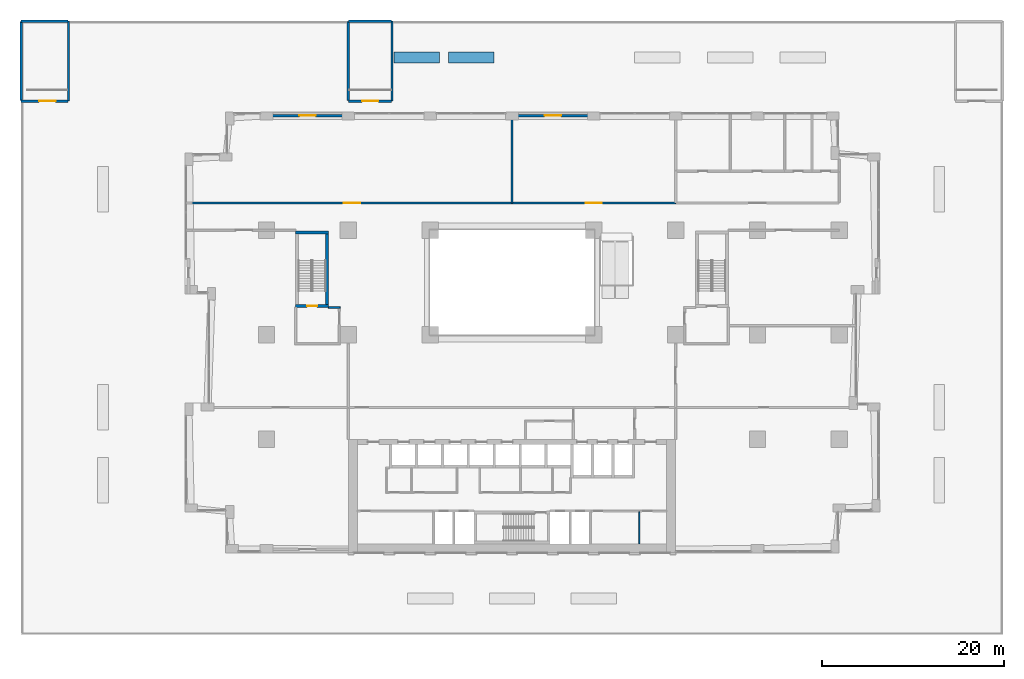
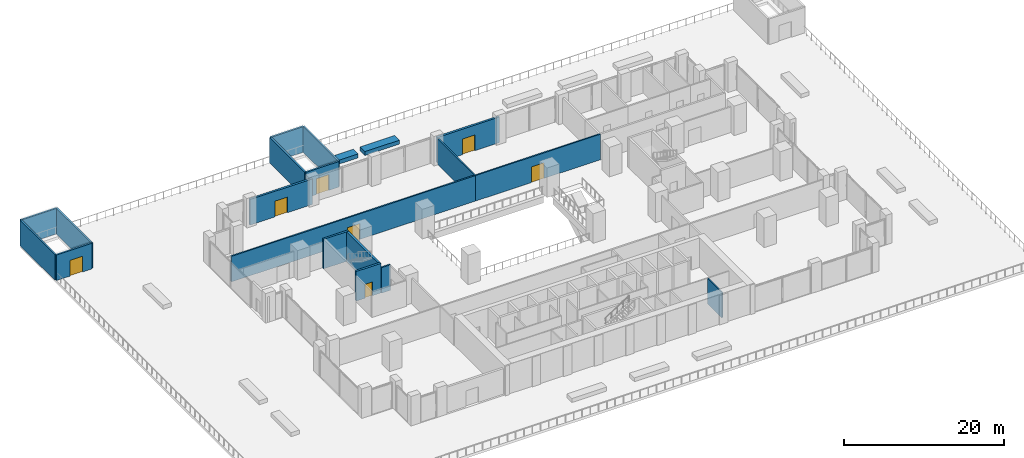
# One storey, part 14 of 19: 20 walls, 7 doors, 7 openings.
"""IFC4 building model written with IfcOpenShell, lengths in metres."""

from ifc_helpers import new_model, si_unit, direction, frame, frame_2d, origin, place, context, subcontext, project, spatial, rectangle, extrude, material, layer, layer_set, type_object, element, fill, save


model = new_model("IFC4")

# Units and contexts
model_context = context("Model", 3, precision=1e-05, world=origin(), true_north=direction((0.0, 1.0)))
body_context = subcontext(model_context, "Body", "Model", "MODEL_VIEW")
ifc_project = project(units=[si_unit("LENGTHUNIT", "METRE"), si_unit("AREAUNIT", "SQUARE_METRE"), si_unit("VOLUMEUNIT", "CUBIC_METRE"), si_unit("PLANEANGLEUNIT", "RADIAN"), si_unit("MASSUNIT", "GRAM", prefix="KILO")], contexts=[model_context])

# Site, building, storey
site_placement = place(None, origin())
site = spatial("IfcSite", under=ifc_project, at=site_placement, CompositionType="ELEMENT")
building_placement = place(site_placement, origin())
building = spatial("IfcBuilding", under=site, at=building_placement, Name="Brigalow Station Residences", CompositionType="ELEMENT")
storey_placement = place(building_placement, frame((0.0, 0.0, 11.0)))
storey = spatial("IfcBuildingStorey", under=building, at=storey_placement, Name="L02", CompositionType="ELEMENT", Elevation=11.0)

# Wall, opening, door
ifc_material_1 = material(Name="Concrete C80", Category="concrete")
ifc_layer_1 = layer(ifc_material_1, 0.300048828125)
ifc_layer_set_1 = layer_set([ifc_layer_1], Name="CORE SHEAR WALL 300 C80")
wall_type_1 = type_object("IfcWallType", Name="CORE SHEAR WALL 300 C80", PredefinedType="SHEAR", material=ifc_layer_set_1)
wall_1_placement = place(storey_placement, frame((12.199951171875, 27.14990234375, 0.0), z_axis=(0.0, 0.0, 1.0), x_axis=(1.0, 0.0, 0.0)))
wall_1 = element("IfcWall", 1, at=wall_1_placement, inside=storey, type_object=wall_type_1, Name="CORE WALL ST-S1-S L02", PredefinedType="SHEAR", context=body_context, shape_type="SweptSolid", body=[
    extrude(rectangle(XDim=3.60009765625, YDim=0.300048828125, at=frame_2d((1.800048828125, 0.0))), origin(), (0.0, 0.0, 1.0), 4.5),
])
opening_1_placement = place(wall_1_placement, frame((1.25, 0.0, 0.0)))
opening_1 = element("IfcOpeningElement", 2, at=opening_1_placement, cuts=wall_1, Name="Opening D-5015", PredefinedType="OPENING", context=body_context, shape_type="SweptSolid", body=[
    extrude(rectangle(XDim=1.10009765625, YDim=2.10009765625, at=frame_2d((0.550048828125, 1.050048828125))), frame((0.0, 0.16015625, 0.0), z_axis=(0.0, -1.0, 0.0), x_axis=(1.0, 0.0, 0.0)), (0.0, 0.0, 1.0), 0.320068359375),
])
ifc_material_2 = material(Name="Steel fire door leaf in steel frame", Category="steel")
door_type_1 = type_object("IfcDoorType", Name="STAIR DOOR 1100 x 2100 FD60S", OperationType="SINGLE_SWING_LEFT", PredefinedType="DOOR", material=ifc_material_2)
door_1_placement = place(opening_1_placement, origin())
door_1 = element("IfcDoor", 3, at=door_1_placement, inside=storey, type_object=door_type_1, Name="D-5015", OperationType="SINGLE_SWING_LEFT", OverallHeight=2.10009765625, OverallWidth=1.10009765625, PredefinedType="DOOR", context=body_context, shape_type="SweptSolid", body=[
    extrude(rectangle(XDim=1.10009765625, YDim=2.10009765625, at=frame_2d((0.550048828125, 1.050048828125))), frame((0.0, 0.02490234375, 0.0), z_axis=(0.0, -1.0, 0.0), x_axis=(1.0, 0.0, 0.0)), (0.0, 0.0, 1.0), 0.050048828125),
])
fill(opening_1, door_1)

# Walls
wall_2_placement = place(storey_placement, frame((12.199951171875, 35.25, 0.0), z_axis=(0.0, 0.0, 1.0), x_axis=(1.0, 0.0, 0.0)))
element("IfcWall", 4, at=wall_2_placement, inside=storey, type_object=wall_type_1, Name="CORE WALL ST-S1-N L02", PredefinedType="SHEAR", context=body_context, shape_type="SweptSolid", body=[
    extrude(rectangle(XDim=3.60009765625, YDim=0.300048828125, at=frame_2d((1.800048828125, 0.0))), origin(), (0.0, 0.0, 1.0), 4.5),
])
wall_3_placement = place(storey_placement, frame((15.64990234375, 27.300048828125, 0.0), z_axis=(0.0, 0.0, 1.0), x_axis=(0.0, 1.0, 0.0)))
element("IfcWall", 5, at=wall_3_placement, inside=storey, type_object=wall_type_1, Name="CORE WALL ST-S1-E L02", PredefinedType="SHEAR", context=body_context, shape_type="SweptSolid", body=[
    extrude(rectangle(XDim=7.800048828125, YDim=0.300048828125, at=frame_2d((3.89990234375, 0.0))), origin(), (0.0, 0.0, 1.0), 4.5),
])

# Wall, opening, door
ifc_material_3 = material(Name="Glass and aluminium shopfront on a masonry base", Category="masonry")
ifc_layer_2 = layer(ifc_material_3, 0.300048828125)
ifc_layer_set_2 = layer_set([ifc_layer_2], Name="ENTRANCE INFILL 300")
wall_type_2 = type_object("IfcWallType", Name="ENTRANCE INFILL 300", PredefinedType="SOLIDWALL", material=ifc_layer_set_2)
wall_4_placement = place(storey_placement, frame((36.0, 48.10009765625, 0.0), z_axis=(0.0, 0.0, 1.0), x_axis=(1.0, 0.0, 0.0)))
wall_4 = element("IfcWall", 6, at=wall_4_placement, inside=storey, type_object=wall_type_2, Name="Entrance Infill 300 Function Room / TERRACE", PredefinedType="SOLIDWALL", context=body_context, shape_type="SweptSolid", body=[
    extrude(rectangle(XDim=9.0, YDim=0.300048828125, at=frame_2d((4.5, 0.0))), origin(), (0.0, 0.0, 1.0), 3.89990234375),
])
opening_2_placement = place(wall_4_placement, frame((3.60009765625, 0.0, 0.0)))
opening_2 = element("IfcOpeningElement", 7, at=opening_2_placement, cuts=wall_4, Name="Opening D-7405", PredefinedType="OPENING", context=body_context, shape_type="SweptSolid", body=[
    extrude(rectangle(XDim=1.800048828125, YDim=2.39990234375, at=frame_2d((0.89990234375, 1.199951171875))), frame((0.0, 0.16015625, 0.0), z_axis=(0.0, -1.0, 0.0), x_axis=(1.0, 0.0, 0.0)), (0.0, 0.0, 1.0), 0.320068359375),
])
ifc_material_4 = material(Name="Timber door leaves in steel frame", Category="steel")
door_type_2 = type_object("IfcDoorType", Name="DOOR DOUBLE 1800", OperationType="DOUBLE_DOOR_SINGLE_SWING", PredefinedType="DOOR", material=ifc_material_4)
door_2_placement = place(opening_2_placement, frame((1.800048828125, 0.0, 0.0), z_axis=(0.0, 0.0, 1.0), x_axis=(-1.0, 0.0, 0.0)))
door_2 = element("IfcDoor", 8, at=door_2_placement, inside=storey, type_object=door_type_2, Name="Function room terrace door", OperationType="DOUBLE_DOOR_SINGLE_SWING", OverallHeight=2.39990234375, OverallWidth=1.800048828125, PredefinedType="DOOR", context=body_context, shape_type="SweptSolid", body=[
    extrude(rectangle(XDim=1.800048828125, YDim=2.39990234375, at=frame_2d((0.89990234375, 1.199951171875))), frame((0.0, 0.02490234375, 0.0), z_axis=(0.0, -1.0, 0.0), x_axis=(1.0, 0.0, 0.0)), (0.0, 0.0, 1.0), 0.050048828125),
])
fill(opening_2, door_2)

wall_5_placement = place(storey_placement, frame((9.0, 48.10009765625, 0.0), z_axis=(0.0, 0.0, 1.0), x_axis=(1.0, 0.0, 0.0)))
wall_5 = element("IfcWall", 9, at=wall_5_placement, inside=storey, type_object=wall_type_2, Name="Entrance Infill 300 Lap Pool / TERRACE", PredefinedType="SOLIDWALL", context=body_context, shape_type="SweptSolid", body=[
    extrude(rectangle(XDim=9.0, YDim=0.300048828125, at=frame_2d((4.5, 0.0))), origin(), (0.0, 0.0, 1.0), 3.89990234375),
])
opening_3_placement = place(wall_5_placement, frame((3.60009765625, 0.0, 0.0)))
opening_3 = element("IfcOpeningElement", 10, at=opening_3_placement, cuts=wall_5, Name="Opening D-7404", PredefinedType="OPENING", context=body_context, shape_type="SweptSolid", body=[
    extrude(rectangle(XDim=1.800048828125, YDim=2.39990234375, at=frame_2d((0.89990234375, 1.199951171875))), frame((0.0, 0.16015625, 0.0), z_axis=(0.0, -1.0, 0.0), x_axis=(1.0, 0.0, 0.0)), (0.0, 0.0, 1.0), 0.320068359375),
])
door_3_placement = place(opening_3_placement, frame((1.800048828125, 0.0, 0.0), z_axis=(0.0, 0.0, 1.0), x_axis=(-1.0, 0.0, 0.0)))
door_3 = element("IfcDoor", 11, at=door_3_placement, inside=storey, type_object=door_type_2, Name="Lap pool hall terrace door", OperationType="DOUBLE_DOOR_SINGLE_SWING", OverallHeight=2.39990234375, OverallWidth=1.800048828125, PredefinedType="DOOR", context=body_context, shape_type="SweptSolid", body=[
    extrude(rectangle(XDim=1.800048828125, YDim=2.39990234375, at=frame_2d((0.89990234375, 1.199951171875))), frame((0.0, 0.02490234375, 0.0), z_axis=(0.0, -1.0, 0.0), x_axis=(1.0, 0.0, 0.0)), (0.0, 0.0, 1.0), 0.050048828125),
])
fill(opening_3, door_3)

# Wall
ifc_material_5 = material(Name="Concrete blockwork", Category="masonry")
ifc_layer_3 = layer(ifc_material_5, 0.199951171875)
ifc_layer_set_3 = layer_set([ifc_layer_3], Name="FIRE RATED CORE PARTITION 200")
wall_type_3 = type_object("IfcWallType", Name="FIRE RATED CORE PARTITION 200", PredefinedType="PARTITIONING", material=ifc_layer_set_3)
wall_6_placement = place(storey_placement, frame((15.800048828125, 27.0, 0.0), z_axis=(0.0, 0.0, 1.0), x_axis=(1.0, 0.0, 0.0)))
element("IfcWall", 12, at=wall_6_placement, inside=storey, type_object=wall_type_3, Name="PW-5025", PredefinedType="PARTITIONING", context=body_context, shape_type="SweptSolid", body=[
    extrude(rectangle(XDim=1.300048828125, YDim=0.199951171875, at=frame_2d((0.64990234375, 0.0))), origin(), (0.0, 0.0, 1.0), 3.89990234375),
])

# Wall, opening, door
ifc_material_6 = material(Name="Plasterboard on steel studs with acoustic insulation", Category="steel")
ifc_layer_4 = layer(ifc_material_6, 0.199951171875)
ifc_layer_set_4 = layer_set([ifc_layer_4], Name="PARTITION 200")
wall_type_4 = type_object("IfcWallType", Name="PARTITION 200", PredefinedType="PARTITIONING", material=ifc_layer_set_4)
wall_7_placement = place(storey_placement, frame((0.800048828125, 38.5, 0.0), z_axis=(0.0, 0.0, 1.0), x_axis=(1.0, 0.0, 0.0)))
wall_7 = element("IfcWall", 13, at=wall_7_placement, inside=storey, type_object=wall_type_4, Name="Partition 200 Amenity Gallery / Lap Pool", PredefinedType="PARTITIONING", context=body_context, shape_type="SweptSolid", body=[
    extrude(rectangle(XDim=35.199951171875, YDim=0.199951171875, at=frame_2d((17.60009765625, 0.0))), origin(), (0.0, 0.0, 1.0), 3.89990234375),
])
opening_4_placement = place(wall_7_placement, frame((16.699951171875, 0.0, 0.0)))
opening_4 = element("IfcOpeningElement", 14, at=opening_4_placement, cuts=wall_7, Name="Opening D-7409", PredefinedType="OPENING", context=body_context, shape_type="SweptSolid", body=[
    extrude(rectangle(XDim=1.800048828125, YDim=2.39990234375, at=frame_2d((0.89990234375, 1.199951171875))), frame((0.0, 0.10986328125, 0.0), z_axis=(0.0, -1.0, 0.0), x_axis=(1.0, 0.0, 0.0)), (0.0, 0.0, 1.0), 0.219970703125),
])
door_4_placement = place(opening_4_placement, frame((1.800048828125, 0.0, 0.0), z_axis=(0.0, 0.0, 1.0), x_axis=(-1.0, 0.0, 0.0)))
door_4 = element("IfcDoor", 15, at=door_4_placement, inside=storey, type_object=door_type_2, Name="Lap pool hall door", OperationType="DOUBLE_DOOR_SINGLE_SWING", OverallHeight=2.39990234375, OverallWidth=1.800048828125, PredefinedType="DOOR", context=body_context, shape_type="SweptSolid", body=[
    extrude(rectangle(XDim=1.800048828125, YDim=2.39990234375, at=frame_2d((0.89990234375, 1.199951171875))), frame((0.0, 0.02490234375, 0.0), z_axis=(0.0, -1.0, 0.0), x_axis=(1.0, 0.0, 0.0)), (0.0, 0.0, 1.0), 0.050048828125),
])
fill(opening_4, door_4)

wall_8_placement = place(storey_placement, frame((36.0, 38.5, 0.0), z_axis=(0.0, 0.0, 1.0), x_axis=(1.0, 0.0, 0.0)))
wall_8 = element("IfcWall", 16, at=wall_8_placement, inside=storey, type_object=wall_type_4, Name="Partition 200 Amenity Gallery / Function Room", PredefinedType="PARTITIONING", context=body_context, shape_type="SweptSolid", body=[
    extrude(rectangle(XDim=18.0, YDim=0.199951171875, at=frame_2d((9.0, 0.0))), origin(), (0.0, 0.0, 1.0), 3.89990234375),
])
opening_5_placement = place(wall_8_placement, frame((8.10009765625, 0.0, 0.0)))
opening_5 = element("IfcOpeningElement", 17, at=opening_5_placement, cuts=wall_8, Name="Opening D-7410", PredefinedType="OPENING", context=body_context, shape_type="SweptSolid", body=[
    extrude(rectangle(XDim=1.800048828125, YDim=2.39990234375, at=frame_2d((0.89990234375, 1.199951171875))), frame((0.0, 0.10986328125, 0.0), z_axis=(0.0, -1.0, 0.0), x_axis=(1.0, 0.0, 0.0)), (0.0, 0.0, 1.0), 0.219970703125),
])
door_5_placement = place(opening_5_placement, frame((1.800048828125, 0.0, 0.0), z_axis=(0.0, 0.0, 1.0), x_axis=(-1.0, 0.0, 0.0)))
door_5 = element("IfcDoor", 18, at=door_5_placement, inside=storey, type_object=door_type_2, Name="Function room door", OperationType="DOUBLE_DOOR_SINGLE_SWING", OverallHeight=2.39990234375, OverallWidth=1.800048828125, PredefinedType="DOOR", context=body_context, shape_type="SweptSolid", body=[
    extrude(rectangle(XDim=1.800048828125, YDim=2.39990234375, at=frame_2d((0.89990234375, 1.199951171875))), frame((0.0, 0.02490234375, 0.0), z_axis=(0.0, -1.0, 0.0), x_axis=(1.0, 0.0, 0.0)), (0.0, 0.0, 1.0), 0.050048828125),
])
fill(opening_5, door_5)

# Walls
wall_9_placement = place(storey_placement, frame((36.0, 38.5, 0.0), z_axis=(0.0, 0.0, 1.0), x_axis=(0.0, 1.0, 0.0)))
element("IfcWall", 19, at=wall_9_placement, inside=storey, type_object=wall_type_4, Name="Partition 200 Lap Pool / Function Room", PredefinedType="PARTITIONING", context=body_context, shape_type="SweptSolid", body=[
    extrude(rectangle(XDim=9.199951171875, YDim=0.199951171875, at=frame_2d((4.60009765625, 0.0))), origin(), (0.0, 0.0, 1.0), 3.89990234375),
])
ifc_material_7 = material(Name="Concrete C50", Category="concrete")
ifc_layer_5 = layer(ifc_material_7, 1.199951171875)
ifc_layer_set_5 = layer_set([ifc_layer_5], Name="PLANTER 1200")
wall_type_5 = type_object("IfcWallType", Name="PLANTER 1200", PredefinedType="USERDEFINED", material=ifc_layer_set_5)
for number, where, z_axis, x_axis, name in (
    (20, (23.0, 54.5, 0.0), (0.0, 0.0, 1.0), (1.0, 0.0, 0.0), "Planter TN1"),
    (21, (29.0, 54.5, 0.0), (0.0, 0.0, 1.0), (1.0, 0.0, 0.0), "Planter TN2"),
):
    element("IfcWall", number, at=place(storey_placement, frame(where, z_axis=z_axis, x_axis=x_axis)), inside=storey, type_object=wall_type_5, Name=name, ObjectType="PLANTER", PredefinedType="USERDEFINED", context=body_context, shape_type="SweptSolid", body=[
        extrude(rectangle(XDim=5.0, YDim=1.199951171875, at=frame_2d((2.5, 0.0))), origin(), (0.0, 0.0, 1.0), 0.60009765625),
    ])
ifc_material_8 = material(Name="Plasterboard on steel studs", Category="steel")
ifc_layer_6 = layer(ifc_material_8, 0.14990234375)
ifc_layer_set_6 = layer_set([ifc_layer_6], Name="SERVICE ROOM PARTITION 150")
wall_type_6 = type_object("IfcWallType", Name="SERVICE ROOM PARTITION 150", PredefinedType="PARTITIONING", material=ifc_layer_set_6)
wall_10_placement = place(storey_placement, frame((50.0, 1.0, 0.0), z_axis=(0.0, 0.0, 1.0), x_axis=(0.0, 1.0, 0.0)))
element("IfcWall", 22, at=wall_10_placement, inside=storey, type_object=wall_type_6, Name="PW-5028", PredefinedType="PARTITIONING", context=body_context, shape_type="SweptSolid", body=[
    extrude(rectangle(XDim=3.52490234375, YDim=0.14990234375, at=frame_2d((1.762451171875, 0.0))), origin(), (0.0, 0.0, 1.0), 3.89990234375),
])
ifc_material_9 = material(Name="Concrete C50", Category="concrete")
ifc_layer_7 = layer(ifc_material_9, 0.25)
ifc_layer_set_7 = layer_set([ifc_layer_7], Name="STAIR ROOF WALL 250")
wall_type_7 = type_object("IfcWallType", Name="STAIR ROOF WALL 250", PredefinedType="SOLIDWALL", material=ifc_layer_set_7)
wall_11_placement = place(storey_placement, frame((-12.800048828125, 49.699951171875, 0.0), z_axis=(0.0, 0.0, 1.0), x_axis=(0.0, 1.0, 0.0)))
element("IfcWall", 23, at=wall_11_placement, inside=storey, type_object=wall_type_7, Name="Stair Roof Wall 250 Exit Stair St-4 / TERRACE", PredefinedType="SOLIDWALL", context=body_context, shape_type="SweptSolid", body=[
    extrude(rectangle(XDim=8.800048828125, YDim=0.25, at=frame_2d((4.39990234375, 0.0))), origin(), (0.0, 0.0, 1.0), 3.89990234375),
])
wall_12_placement = place(storey_placement, frame((-18.0, 58.5, 0.0), z_axis=(0.0, 0.0, 1.0), x_axis=(1.0, 0.0, 0.0)))
element("IfcWall", 24, at=wall_12_placement, inside=storey, type_object=wall_type_7, Name="Stair Roof Wall 250 Exit Stair St-4 / TERRACE", PredefinedType="SOLIDWALL", context=body_context, shape_type="SweptSolid", body=[
    extrude(rectangle(XDim=5.155029296875, YDim=0.25, at=frame_2d((2.57763671875, 0.0))), origin(), (0.0, 0.0, 1.0), 3.89990234375),
])

# Wall, opening, door
wall_13_placement = place(storey_placement, frame((-18.0, 49.699951171875, 0.0), z_axis=(0.0, 0.0, 1.0), x_axis=(1.0, 0.0, 0.0)))
wall_13 = element("IfcWall", 25, at=wall_13_placement, inside=storey, type_object=wall_type_7, Name="Stair Roof Wall 250 Exit Stair St-4 / TERRACE", PredefinedType="SOLIDWALL", context=body_context, shape_type="SweptSolid", body=[
    extrude(rectangle(XDim=5.155029296875, YDim=0.25, at=frame_2d((2.57763671875, 0.0))), origin(), (0.0, 0.0, 1.0), 3.89990234375),
])
opening_6_placement = place(wall_13_placement, frame((1.987060546875, 0.0, 0.0)))
opening_6 = element("IfcOpeningElement", 26, at=opening_6_placement, cuts=wall_13, Name="Opening D-7401", PredefinedType="OPENING", context=body_context, shape_type="SweptSolid", body=[
    extrude(rectangle(XDim=1.800048828125, YDim=2.39990234375, at=frame_2d((0.89990234375, 1.199951171875))), frame((0.0, 0.135009765625, 0.0), z_axis=(0.0, -1.0, 0.0), x_axis=(1.0, 0.0, 0.0)), (0.0, 0.0, 1.0), 0.27001953125),
])
ifc_material_10 = material(Name="Steel fire door leaves in steel frame", Category="steel")
door_type_3 = type_object("IfcDoorType", Name="DOOR DOUBLE 1800 FIRE", OperationType="DOUBLE_DOOR_SINGLE_SWING", PredefinedType="DOOR", material=ifc_material_10)
door_6_placement = place(opening_6_placement, frame((1.800048828125, 0.0, 0.0), z_axis=(0.0, 0.0, 1.0), x_axis=(-1.0, 0.0, 0.0)))
door_6 = element("IfcDoor", 27, at=door_6_placement, inside=storey, type_object=door_type_3, Name="Exit stair ST-4 terrace door", OperationType="DOUBLE_DOOR_SINGLE_SWING", OverallHeight=2.39990234375, OverallWidth=1.800048828125, PredefinedType="DOOR", context=body_context, shape_type="SweptSolid", body=[
    extrude(rectangle(XDim=1.800048828125, YDim=2.39990234375, at=frame_2d((0.89990234375, 1.199951171875))), frame((0.0, 0.02490234375, 0.0), z_axis=(0.0, -1.0, 0.0), x_axis=(1.0, 0.0, 0.0)), (0.0, 0.0, 1.0), 0.050048828125),
])
fill(opening_6, door_6)

# Walls
wall_14_placement = place(storey_placement, frame((-18.0, 49.7451171875, 0.0), z_axis=(0.0, 0.0, 1.0), x_axis=(0.0, 1.0, 0.0)))
element("IfcWall", 28, at=wall_14_placement, inside=storey, type_object=wall_type_7, Name="Stair Roof Wall 250 Exit Stair St-4 / TERRACE", PredefinedType="SOLIDWALL", context=body_context, shape_type="SweptSolid", body=[
    extrude(rectangle(XDim=8.7099609375, YDim=0.25, at=frame_2d((4.35498046875, 0.0))), origin(), (0.0, 0.0, 1.0), 3.89990234375),
])
wall_15_placement = place(storey_placement, frame((22.800048828125, 49.699951171875, 0.0), z_axis=(0.0, 0.0, 1.0), x_axis=(0.0, 1.0, 0.0)))
element("IfcWall", 29, at=wall_15_placement, inside=storey, type_object=wall_type_7, Name="Stair Roof Wall 250 Exit Stair St-6 / TERRACE", PredefinedType="SOLIDWALL", context=body_context, shape_type="SweptSolid", body=[
    extrude(rectangle(XDim=8.800048828125, YDim=0.25, at=frame_2d((4.39990234375, 0.0))), origin(), (0.0, 0.0, 1.0), 3.89990234375),
])
wall_16_placement = place(storey_placement, frame((18.0, 58.5, 0.0), z_axis=(0.0, 0.0, 1.0), x_axis=(1.0, 0.0, 0.0)))
element("IfcWall", 30, at=wall_16_placement, inside=storey, type_object=wall_type_7, Name="Stair Roof Wall 250 Exit Stair St-6 / TERRACE", PredefinedType="SOLIDWALL", context=body_context, shape_type="SweptSolid", body=[
    extrude(rectangle(XDim=4.7548828125, YDim=0.25, at=frame_2d((2.37744140625, 0.0))), origin(), (0.0, 0.0, 1.0), 3.89990234375),
])

# Wall, opening, door
wall_17_placement = place(storey_placement, frame((18.0, 49.699951171875, 0.0), z_axis=(0.0, 0.0, 1.0), x_axis=(1.0, 0.0, 0.0)))
wall_17 = element("IfcWall", 31, at=wall_17_placement, inside=storey, type_object=wall_type_7, Name="Stair Roof Wall 250 Exit Stair St-6 / TERRACE", PredefinedType="SOLIDWALL", context=body_context, shape_type="SweptSolid", body=[
    extrude(rectangle(XDim=4.7548828125, YDim=0.25, at=frame_2d((2.37744140625, 0.0))), origin(), (0.0, 0.0, 1.0), 3.89990234375),
])
opening_7_placement = place(wall_17_placement, frame((1.5, 0.0, 0.0)))
opening_7 = element("IfcOpeningElement", 32, at=opening_7_placement, cuts=wall_17, Name="Opening D-7403", PredefinedType="OPENING", context=body_context, shape_type="SweptSolid", body=[
    extrude(rectangle(XDim=1.800048828125, YDim=2.39990234375, at=frame_2d((0.89990234375, 1.199951171875))), frame((0.0, 0.135009765625, 0.0), z_axis=(0.0, -1.0, 0.0), x_axis=(1.0, 0.0, 0.0)), (0.0, 0.0, 1.0), 0.27001953125),
])
door_7_placement = place(opening_7_placement, frame((1.800048828125, 0.0, 0.0), z_axis=(0.0, 0.0, 1.0), x_axis=(-1.0, 0.0, 0.0)))
door_7 = element("IfcDoor", 33, at=door_7_placement, inside=storey, type_object=door_type_3, Name="Exit stair ST-6 terrace door", OperationType="DOUBLE_DOOR_SINGLE_SWING", OverallHeight=2.39990234375, OverallWidth=1.800048828125, PredefinedType="DOOR", context=body_context, shape_type="SweptSolid", body=[
    extrude(rectangle(XDim=1.800048828125, YDim=2.39990234375, at=frame_2d((0.89990234375, 1.199951171875))), frame((0.0, 0.02490234375, 0.0), z_axis=(0.0, -1.0, 0.0), x_axis=(1.0, 0.0, 0.0)), (0.0, 0.0, 1.0), 0.050048828125),
])
fill(opening_7, door_7)

# Wall
wall_18_placement = place(storey_placement, frame((18.0, 49.7451171875, 0.0), z_axis=(0.0, 0.0, 1.0), x_axis=(0.0, 1.0, 0.0)))
element("IfcWall", 34, at=wall_18_placement, inside=storey, type_object=wall_type_7, Name="Stair Roof Wall 250 Exit Stair St-6 / TERRACE", PredefinedType="SOLIDWALL", context=body_context, shape_type="SweptSolid", body=[
    extrude(rectangle(XDim=8.7099609375, YDim=0.25, at=frame_2d((4.35498046875, 0.0))), origin(), (0.0, 0.0, 1.0), 3.89990234375),
])

save(model, "model.ifc")
